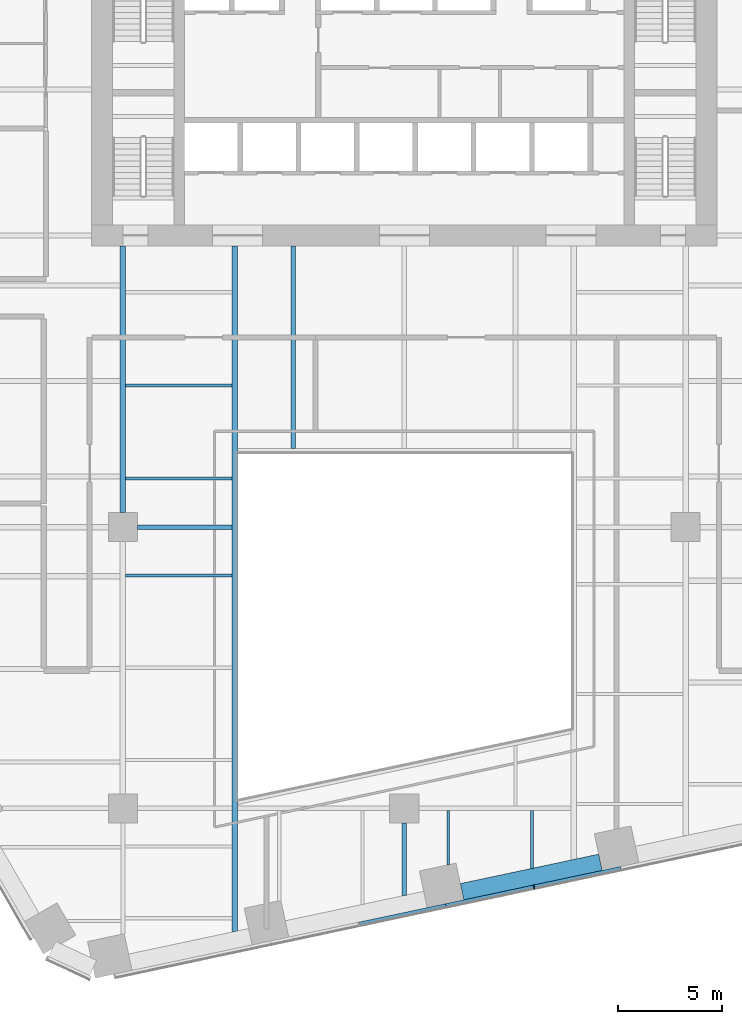
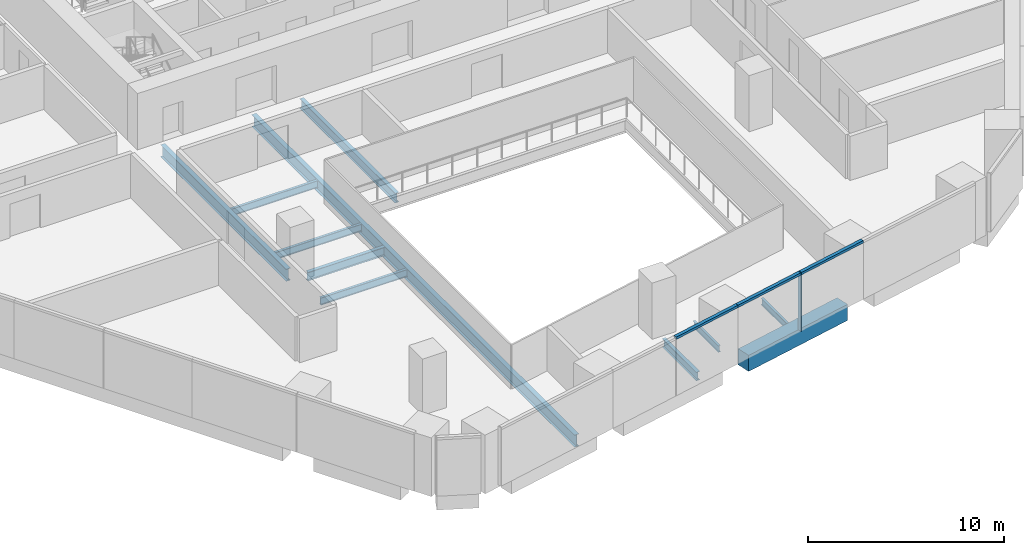
# One storey, part 4 of 20: 11 beams, 4 members, 1 element without a shape of its own.
"""IFC4 building model written with IfcOpenShell, lengths in metres."""

from ifc_helpers import new_model, si_unit, direction, frame, origin, origin_2d, place, context, subcontext, project, spatial, rectangle, i_section, extrude, material, layer, layer_set, material_profile, profile_set, type_object, element, aggregate, save


model = new_model("IFC4")

# Units and contexts
model_context = context("Model", 3, precision=1e-05, world=origin(), true_north=direction((0.0, 1.0)))
body_context = subcontext(model_context, "Body", "Model", "MODEL_VIEW")
ifc_project = project(units=[si_unit("LENGTHUNIT", "METRE"), si_unit("AREAUNIT", "SQUARE_METRE"), si_unit("VOLUMEUNIT", "CUBIC_METRE"), si_unit("PLANEANGLEUNIT", "RADIAN"), si_unit("MASSUNIT", "GRAM", prefix="KILO")], contexts=[model_context])

# Site, building, storey
site_placement = place(None, origin())
site = spatial("IfcSite", under=ifc_project, at=site_placement, CompositionType="ELEMENT")
building_placement = place(site_placement, origin())
building = spatial("IfcBuilding", under=site, at=building_placement, Name="Isthmus Gate Tower", CompositionType="ELEMENT")
storey_placement = place(building_placement, frame((0.0, 0.0, 61.550048828125)))
storey = spatial("IfcBuildingStorey", under=building, at=storey_placement, Name="L13", CompositionType="ELEMENT", Elevation=61.550048828125)

# Curtain wall, members
ifc_material_1 = material(Name="Aluminium, pale champagne anodised", Category="aluminium")
ifc_layer = layer(ifc_material_1, 0.199951171875)
ifc_layer_set = layer_set([ifc_layer], Name="CW-1 UNITISED CURTAIN WALL 200 DEEP")
curtain_wall_type = type_object("IfcCurtainWallType", Name="CW-1 UNITISED CURTAIN WALL 200 DEEP", PredefinedType="NOTDEFINED", material=ifc_layer_set)
curtain_wall_placement = place(storey_placement, origin())
curtain_wall = element("IfcCurtainWall", 1, at=curtain_wall_placement, inside=storey, type_object=curtain_wall_type, Name="CW-1 S L13", PredefinedType="NOTDEFINED")
ifc_material_2 = material(Name="Aluminium, pale champagne anodised", Category="aluminium")
ifc_material_profile_1 = material_profile(ifc_material_2, rectangle(XDim=0.06005859375, YDim=0.199951171875, at=origin_2d()), Name="60x200")
ifc_profile_set_1 = profile_set([ifc_material_profile_1], Name="Aluminium, pale champagne anodised")
member_type_1 = type_object("IfcMemberType", Name="CW-1 MULLION 60 X 200", PredefinedType="MULLION", material=ifc_profile_set_1)
member_1_placement = place(storey_placement, frame((6.228759765625, -30.7783203125, 0.0), z_axis=(0.0, 0.0, 1.0), x_axis=(0.978147600734, 0.207911690818, 0.0)))
member_1 = element("IfcMember", 2, at=member_1_placement, type_object=member_type_1, Name="CW-1 mullion", PredefinedType="MULLION", context=body_context, shape_type="SweptSolid", body=[
    extrude(rectangle(XDim=0.06005859375, YDim=0.199951171875, at=origin_2d()), origin(), (0.0, 0.0, 1.0), 3.64990234375),
])
ifc_material_3 = material(Name="Aluminium, pale champagne anodised", Category="aluminium")
ifc_material_profile_2 = material_profile(ifc_material_3, rectangle(XDim=0.199951171875, YDim=0.14990234375, at=origin_2d()), Name="200x150")
ifc_profile_set_2 = profile_set([ifc_material_profile_2], Name="Aluminium, pale champagne anodised")
member_type_2 = type_object("IfcMemberType", Name="CW-1 TRANSOM 200 X 150", PredefinedType="USERDEFINED", material=ifc_profile_set_2)
member_2_placement = place(storey_placement, frame((-2.1435546875, -32.557861328125, 3.574951171875), z_axis=(0.978150351608, 0.20789874855, 0.0), x_axis=(-0.20789874855, 0.978150351608, 0.0)))
member_2 = element("IfcMember", 3, at=member_2_placement, type_object=member_type_2, Name="CW-1 transom", ObjectType="TRANSOM", PredefinedType="USERDEFINED", context=body_context, shape_type="SweptSolid", body=[
    extrude(rectangle(XDim=0.199951171875, YDim=0.14990234375, at=origin_2d()), origin(), (0.0, 0.0, 1.0), 4.234619140625),
])
member_3_placement = place(storey_placement, frame((1.99853515625, -31.677490234375, 3.574951171875), z_axis=(0.97813890815, 0.207952582007, 0.0), x_axis=(-0.207952582007, 0.97813890815, 0.0)))
member_3 = element("IfcMember", 4, at=member_3_placement, type_object=member_type_2, Name="CW-1 transom", ObjectType="TRANSOM", PredefinedType="USERDEFINED", context=body_context, shape_type="SweptSolid", body=[
    extrude(rectangle(XDim=0.199951171875, YDim=0.14990234375, at=origin_2d()), origin(), (0.0, 0.0, 1.0), 4.294677734375),
])
member_4_placement = place(storey_placement, frame((6.258056640625, -30.77197265625, 3.574951171875), z_axis=(0.978150351608, 0.20789874855, 0.0), x_axis=(-0.20789874855, 0.978150351608, 0.0)))
member_4 = element("IfcMember", 5, at=member_4_placement, type_object=member_type_2, Name="CW-1 transom", ObjectType="TRANSOM", PredefinedType="USERDEFINED", context=body_context, shape_type="SweptSolid", body=[
    extrude(rectangle(XDim=0.199951171875, YDim=0.14990234375, at=origin_2d()), origin(), (0.0, 0.0, 1.0), 4.234619140625),
])
aggregate(curtain_wall, [member_2, member_3, member_1, member_4])

# Beams
ifc_material_4 = material(Name="Concrete f'c 70 MPa", Category="concrete")
ifc_material_profile_3 = material_profile(ifc_material_4, rectangle(XDim=0.800048828125, YDim=1.0, at=origin_2d()), Name="RC 800X1000")
ifc_profile_set_3 = profile_set([ifc_material_profile_3], Name="Concrete f'c 70 MPa")
beam_type_1 = type_object("IfcBeamType", Name="RC SPANDREL 800 X 1000", PredefinedType="SPANDREL", material=ifc_profile_set_3)
beam_1_placement = place(storey_placement, frame((9.415771484375, -29.589599609375, -0.5), z_axis=(-0.978145779981, -0.207920256603, 0.0), x_axis=(0.207920256603, -0.978145779981, 0.0)))
element("IfcBeam", 6, at=beam_1_placement, inside=storey, type_object=beam_type_1, Name="str-spandrel-L13-11", PredefinedType="SPANDREL", context=body_context, shape_type="SweptSolid", body=[
    extrude(rectangle(XDim=0.800048828125, YDim=1.0, at=origin_2d()), origin(), (0.0, 0.0, 1.0), 6.789306640625),
])
ifc_material_5 = material(Name="Structural steel ASTM A992 Gr 50", Category="steel")
ifc_material_profile_4 = material_profile(ifc_material_5, i_section(OverallWidth=0.1396484375, OverallDepth=0.4033203125, WebThickness=0.00634765625, FlangeThickness=0.010986328125, at=origin_2d()), Name="W16X31")
ifc_profile_set_4 = profile_set([ifc_material_profile_4], Name="Structural steel ASTM A992 Gr 50")
beam_type_2 = type_object("IfcBeamType", Name="STEEL FLOOR BEAM W16X31", PredefinedType="JOIST", material=ifc_profile_set_4)
beam_2_placement = place(storey_placement, frame((2.111572265625, -29.7109375, -0.3515625), z_axis=(0.0, 1.0, 0.0), x_axis=(-1.0, 0.0, 0.0)))
element("IfcBeam", 7, at=beam_2_placement, inside=storey, type_object=beam_type_2, Name="str-beam-L13-18-00", PredefinedType="JOIST", context=body_context, shape_type="SweptSolid", body=[
    extrude(i_section(OverallWidth=0.1396484375, OverallDepth=0.4033203125, WebThickness=0.00634765625, FlangeThickness=0.010986328125, at=origin_2d()), origin(), (0.0, 0.0, 1.0), 2.5966796875),
])
beam_3_placement = place(storey_placement, frame((6.125, -29.880126953125, -0.3515625), z_axis=(0.0, 1.0, 0.0), x_axis=(-1.0, 0.0, 0.0)))
element("IfcBeam", 8, at=beam_3_placement, inside=storey, type_object=beam_type_2, Name="str-beam-L13-18-01", PredefinedType="JOIST", context=body_context, shape_type="SweptSolid", body=[
    extrude(i_section(OverallWidth=0.1396484375, OverallDepth=0.4033203125, WebThickness=0.00634765625, FlangeThickness=0.010986328125, at=origin_2d()), origin(), (0.0, 0.0, 1.0), 2.765869140625),
])
ifc_material_6 = material(Name="Structural steel ASTM A992 Gr 50", Category="steel")
ifc_material_profile_5 = material_profile(ifc_material_6, i_section(OverallWidth=0.15234375, OverallDepth=0.45068359375, WebThickness=0.0078125, FlangeThickness=0.010986328125, at=origin_2d()), Name="W18X35")
ifc_profile_set_5 = profile_set([ifc_material_profile_5], Name="Structural steel ASTM A992 Gr 50")
beam_type_3 = type_object("IfcBeamType", Name="STEEL FLOOR BEAM W18X35", PredefinedType="JOIST", material=ifc_profile_set_5)
for number, where, z_axis, x_axis, name in (
    (9, (-13.3681640625, -11.16259765625, -0.37548828125), (1.0, 0.0, 0.0), (0.0, 1.0, 0.0), "str-beam-L13-11-00"),
    (10, (-13.3681640625, -6.697509765625, -0.37548828125), (1.0, 0.0, 0.0), (0.0, 1.0, 0.0), "str-beam-L13-11-01"),
    (11, (-13.3681640625, -15.81982421875, -0.37548828125), (1.0, 0.0, 0.0), (0.0, 1.0, 0.0), "str-beam-L13-12-02"),
):
    element("IfcBeam", number, at=place(storey_placement, frame(where, z_axis=z_axis, x_axis=x_axis)), inside=storey, type_object=beam_type_3, Name=name, PredefinedType="JOIST", context=body_context, shape_type="SweptSolid", body=[
        extrude(i_section(OverallWidth=0.15234375, OverallDepth=0.45068359375, WebThickness=0.0078125, FlangeThickness=0.010986328125, at=origin_2d()), origin(), (0.0, 0.0, 1.0), 5.1015625),
    ])
ifc_material_7 = material(Name="Structural steel ASTM A992 Gr 50", Category="steel")
ifc_material_profile_6 = material_profile(ifc_material_7, i_section(OverallWidth=0.228515625, OverallDepth=0.603271484375, WebThickness=0.010986328125, FlangeThickness=0.014404296875, at=origin_2d()), Name="W24X68")
ifc_profile_set_6 = profile_set([ifc_material_profile_6], Name="Structural steel ASTM A992 Gr 50")
beam_type_4 = type_object("IfcBeamType", Name="STEEL FLOOR BEAM W24X68", PredefinedType="JOIST", material=ifc_profile_set_6)
beam_4_placement = place(storey_placement, frame((-5.333251953125, -9.7333984375, -0.45166015625), z_axis=(0.0, 1.0, 0.0), x_axis=(-1.0, 0.0, 0.0)))
element("IfcBeam", 12, at=beam_4_placement, inside=storey, type_object=beam_type_4, Name="str-beam-L13-16-00", PredefinedType="JOIST", context=body_context, shape_type="SweptSolid", body=[
    extrude(i_section(OverallWidth=0.228515625, OverallDepth=0.603271484375, WebThickness=0.010986328125, FlangeThickness=0.014404296875, at=origin_2d()), origin(), (0.0, 0.0, 1.0), 9.7333984375),
])
ifc_material_8 = material(Name="Structural steel ASTM A992 Gr 50", Category="steel")
ifc_material_profile_7 = material_profile(ifc_material_8, i_section(OverallWidth=0.20947265625, OverallDepth=0.533447265625, WebThickness=0.009521484375, FlangeThickness=0.015869140625, at=origin_2d()), Name="W21X62")
ifc_profile_set_7 = profile_set([ifc_material_profile_7], Name="Structural steel ASTM A992 Gr 50")
beam_type_5 = type_object("IfcBeamType", Name="STEEL GIRDER W21X62", PredefinedType="BEAM", material=ifc_profile_set_7)
beam_5_placement = place(storey_placement, frame((-12.800048828125, -13.5, -0.416748046875), z_axis=(1.0, 0.0, 0.0), x_axis=(0.0, 1.0, 0.0)))
element("IfcBeam", 13, at=beam_5_placement, inside=storey, type_object=beam_type_5, Name="str-girder-L13-06", PredefinedType="BEAM", context=body_context, shape_type="SweptSolid", body=[
    extrude(i_section(OverallWidth=0.20947265625, OverallDepth=0.533447265625, WebThickness=0.009521484375, FlangeThickness=0.015869140625, at=origin_2d()), origin(), (0.0, 0.0, 1.0), 4.533447265625),
])
beam_6_placement = place(storey_placement, frame((0.0, -31.18212890625, -0.416748046875), z_axis=(0.0, 1.0, 0.0), x_axis=(-1.0, 0.0, 0.0)))
element("IfcBeam", 14, at=beam_6_placement, inside=storey, type_object=beam_type_5, Name="str-girder-L13-28", PredefinedType="BEAM", context=body_context, shape_type="SweptSolid", body=[
    extrude(i_section(OverallWidth=0.20947265625, OverallDepth=0.533447265625, WebThickness=0.009521484375, FlangeThickness=0.015869140625, at=origin_2d()), origin(), (0.0, 0.0, 1.0), 3.482177734375),
])
ifc_material_9 = material(Name="Structural steel ASTM A992 Gr 50", Category="steel")
ifc_material_profile_8 = material_profile(ifc_material_9, i_section(OverallWidth=0.263427734375, OverallDepth=0.749267578125, WebThickness=0.0126953125, FlangeThickness=0.015869140625, at=origin_2d()), Name="W30X90")
ifc_profile_set_8 = profile_set([ifc_material_profile_8], Name="Structural steel ASTM A992 Gr 50")
beam_type_6 = type_object("IfcBeamType", Name="STEEL GIRDER W30X90", PredefinedType="BEAM", material=ifc_profile_set_8)
beam_7_placement = place(storey_placement, frame((-13.5, -12.800048828125, -0.524658203125), z_axis=(0.0, 1.0, 0.0), x_axis=(-1.0, 0.0, 0.0)))
element("IfcBeam", 15, at=beam_7_placement, inside=storey, type_object=beam_type_6, Name="str-girder-L13-25", PredefinedType="BEAM", context=body_context, shape_type="SweptSolid", body=[
    extrude(i_section(OverallWidth=0.263427734375, OverallDepth=0.749267578125, WebThickness=0.0126953125, FlangeThickness=0.015869140625, at=origin_2d()), origin(), (0.0, 0.0, 1.0), 12.800048828125),
])
ifc_material_10 = material(Name="Structural steel ASTM A992 Gr 50", Category="steel")
ifc_material_profile_9 = material_profile(ifc_material_10, i_section(OverallWidth=0.2666015625, OverallDepth=0.7587890625, WebThickness=0.014404296875, FlangeThickness=0.01904296875, at=origin_2d()), Name="W30X108")
ifc_profile_set_9 = profile_set([ifc_material_profile_9], Name="Structural steel ASTM A992 Gr 50")
beam_type_7 = type_object("IfcBeamType", Name="STEEL TRIMMER W30X108", PredefinedType="BEAM", material=ifc_profile_set_9)
beam_8_placement = place(storey_placement, frame((-8.13330078125, 0.0, -0.529541015625), z_axis=(0.0, -1.0, 0.0), x_axis=(1.0, 0.0, 0.0)))
element("IfcBeam", 16, at=beam_8_placement, inside=storey, type_object=beam_type_7, Name="str-trimmer-L13-02", PredefinedType="BEAM", context=body_context, shape_type="SweptSolid", body=[
    extrude(i_section(OverallWidth=0.2666015625, OverallDepth=0.7587890625, WebThickness=0.014404296875, FlangeThickness=0.01904296875, at=origin_2d()), origin(), (0.0, 0.0, 1.0), 32.910888671875),
])

save(model, "model.ifc")
